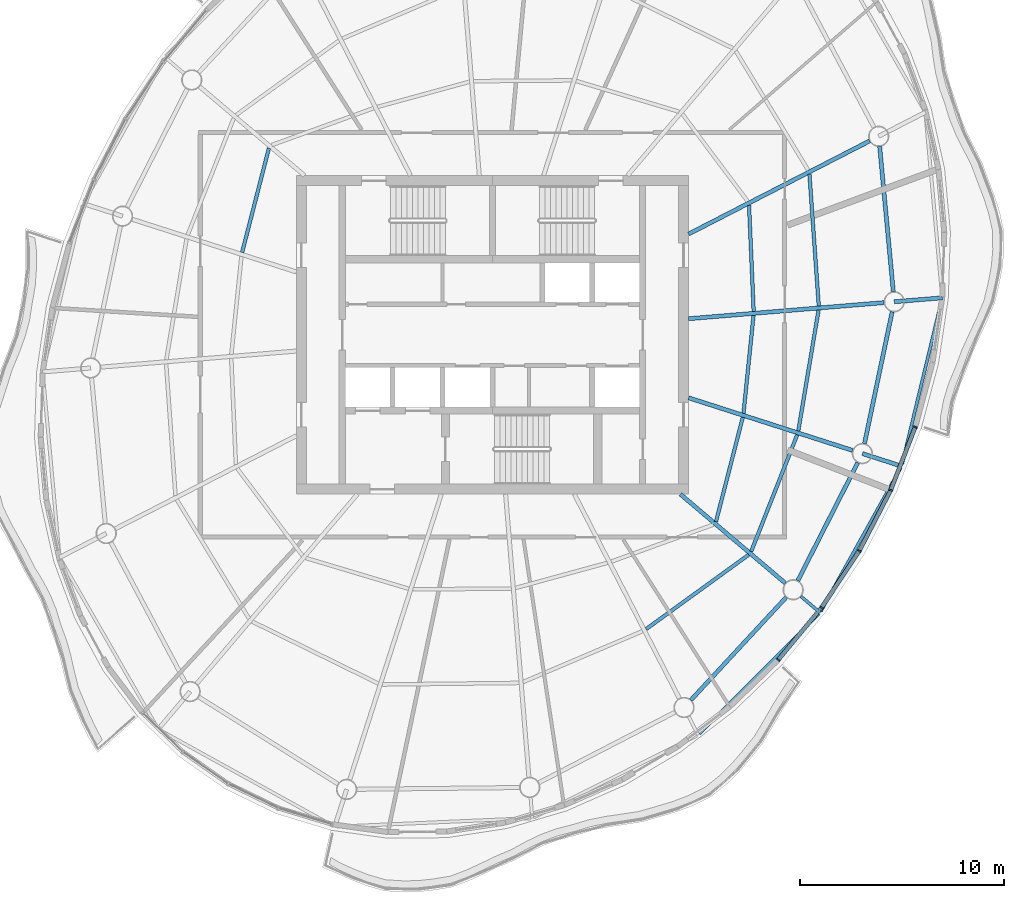
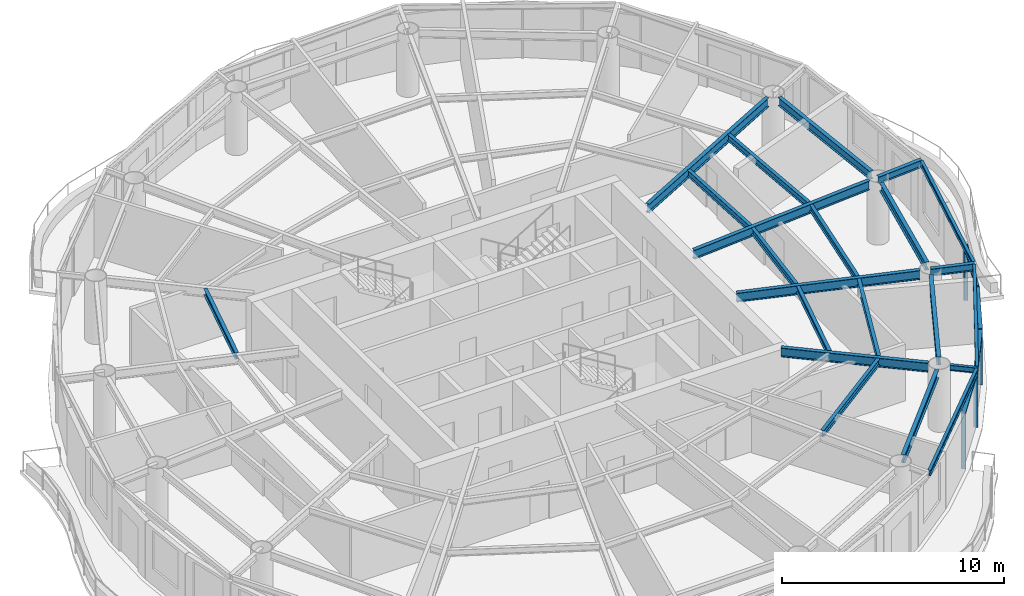
# One storey, part 3 of 13: 22 beams, 9 members, 4 elements without a shape of their own.
"""IFC4 building model written with IfcOpenShell, lengths in metres."""

from ifc_helpers import new_model, si_unit, direction, frame, origin, origin_2d, place, context, subcontext, project, spatial, rectangle, i_section, extrude, material, material_profile, profile_set, type_object, element, aggregate, save


model = new_model("IFC4")

# Units and contexts
model_context = context("Model", 3, precision=1e-05, world=origin(), true_north=direction((0.0, 1.0)))
body_context = subcontext(model_context, "Body", "Model", "MODEL_VIEW")
ifc_project = project(units=[si_unit("LENGTHUNIT", "METRE"), si_unit("AREAUNIT", "SQUARE_METRE"), si_unit("VOLUMEUNIT", "CUBIC_METRE"), si_unit("PLANEANGLEUNIT", "RADIAN"), si_unit("MASSUNIT", "GRAM", prefix="KILO")], contexts=[model_context])

# Site, building, storey
site_placement = place(None, origin())
site = spatial("IfcSite", under=ifc_project, at=site_placement, CompositionType="ELEMENT")
building_placement = place(site_placement, origin())
building = spatial("IfcBuilding", under=site, at=building_placement, Name="Vermilion Reach Broadcast Tower", CompositionType="ELEMENT")
storey_placement = place(building_placement, frame((0.0, 0.0, 272.10009765625)))
storey = spatial("IfcBuildingStorey", under=building, at=storey_placement, Name="L67", CompositionType="ELEMENT", Elevation=272.10009765625)

# Beams
ifc_material_1 = material(Name="Steel S355J2", Category="steel")
ifc_material_profile_1 = material_profile(ifc_material_1, i_section(OverallWidth=0.14990234375, OverallDepth=0.300048828125, WebThickness=0.006591796875, FlangeThickness=0.009033203125, at=origin_2d()), Name="S355J2 HN 300x150x6.5x9")
ifc_profile_set_1 = profile_set([ifc_material_profile_1], Name="Steel S355J2")
beam_type_1 = type_object("IfcBeamType", Name="EB5 HN 300x150x6.5x9", PredefinedType="BEAM", material=ifc_profile_set_1)
beam_1_placement = place(storey_placement, frame((4.121826171875, -19.522216796875, 3.2998046875), z_axis=(0.706149929804, 0.708062339514, 0.0), x_axis=(-0.708062339514, 0.706149929804, 0.0)))
element("IfcBeam", 1, at=beam_1_placement, inside=storey, type_object=beam_type_1, Name="Edge beam EB5-11", PredefinedType="BEAM", context=body_context, shape_type="SweptSolid", body=[
    extrude(i_section(OverallWidth=0.14990234375, OverallDepth=0.300048828125, WebThickness=0.006591796875, FlangeThickness=0.009033203125, at=origin_2d()), origin(), (0.0, 0.0, 1.0), 8.298095703125),
])
beam_2_placement = place(storey_placement, frame((10.07177734375, -13.52685546875, 3.2998046875), z_axis=(0.48668856218, 0.873575551079, 0.0), x_axis=(-0.873575551079, 0.48668856218, 0.0)))
element("IfcBeam", 2, at=beam_2_placement, inside=storey, type_object=beam_type_1, Name="Edge beam EB5-12", PredefinedType="BEAM", context=body_context, shape_type="SweptSolid", body=[
    extrude(i_section(OverallWidth=0.14990234375, OverallDepth=0.300048828125, WebThickness=0.006591796875, FlangeThickness=0.009033203125, at=origin_2d()), origin(), (0.0, 0.0, 1.0), 8.026123046875),
])
beam_3_placement = place(storey_placement, frame((14.05126953125, -6.328857421875, 3.2998046875), z_axis=(0.234596291436, 0.972092886531, 0.0), x_axis=(-0.972092886531, 0.234596291436, 0.0)))
element("IfcBeam", 3, at=beam_3_placement, inside=storey, type_object=beam_type_1, Name="Edge beam EB5-13", PredefinedType="BEAM", context=body_context, shape_type="SweptSolid", body=[
    extrude(i_section(OverallWidth=0.14990234375, OverallDepth=0.300048828125, WebThickness=0.006591796875, FlangeThickness=0.009033203125, at=origin_2d()), origin(), (0.0, 0.0, 1.0), 8.271240234375),
])
ifc_material_2 = material(Name="Steel S355J2", Category="steel")
ifc_material_profile_2 = material_profile(ifc_material_2, i_section(OverallWidth=0.199951171875, OverallDepth=0.5, WebThickness=0.010009765625, FlangeThickness=0.01611328125, at=origin_2d()), Name="S355J2 HN 500x200x10x16")
ifc_profile_set_2 = profile_set([ifc_material_profile_2], Name="Steel S355J2")
beam_type_2 = type_object("IfcBeamType", Name="G5 HN 500x200x10x16", PredefinedType="BEAM", material=ifc_profile_set_2)
beam_4_placement = place(storey_placement, frame((3.20068359375, -7.800048828125, 3.199951171875), z_axis=(0.762793125612, -0.646642596431, 0.0), x_axis=(0.646642596431, 0.762793125612, 0.0)))
element("IfcBeam", 4, at=beam_4_placement, inside=storey, type_object=beam_type_2, Name="Girder G5-12", PredefinedType="BEAM", context=body_context, shape_type="SweptSolid", body=[
    extrude(i_section(OverallWidth=0.199951171875, OverallDepth=0.5, WebThickness=0.010009765625, FlangeThickness=0.01611328125, at=origin_2d()), origin(), (0.0, 0.0, 1.0), 6.732421875),
])
beam_5_placement = place(storey_placement, frame((3.60009765625, -3.080322265625, 3.199951171875), z_axis=(0.952178453449, -0.305542456604, 0.0), x_axis=(0.305542456604, 0.952178453449, 0.0)))
element("IfcBeam", 5, at=beam_5_placement, inside=storey, type_object=beam_type_2, Name="Girder G5-13", PredefinedType="BEAM", context=body_context, shape_type="SweptSolid", body=[
    extrude(i_section(OverallWidth=0.199951171875, OverallDepth=0.5, WebThickness=0.010009765625, FlangeThickness=0.01611328125, at=origin_2d()), origin(), (0.0, 0.0, 1.0), 8.43310546875),
])
beam_6_placement = place(storey_placement, frame((3.60009765625, 0.791015625, 3.199951171875), z_axis=(0.996624410075, 0.082096195058, 0.0), x_axis=(-0.082096195058, 0.996624410075, 0.0)))
element("IfcBeam", 6, at=beam_6_placement, inside=storey, type_object=beam_type_2, Name="Girder G5-14", PredefinedType="BEAM", context=body_context, shape_type="SweptSolid", body=[
    extrude(i_section(OverallWidth=0.199951171875, OverallDepth=0.5, WebThickness=0.010009765625, FlangeThickness=0.01611328125, at=origin_2d()), origin(), (0.0, 0.0, 1.0), 9.599609375),
])
beam_7_placement = place(storey_placement, frame((3.60009765625, 4.935791015625, 3.199951171875), z_axis=(0.889332502449, 0.457261085254, 0.0), x_axis=(-0.457261085254, 0.889332502449, 0.0)))
element("IfcBeam", 7, at=beam_7_placement, inside=storey, type_object=beam_type_2, Name="Girder G5-15", PredefinedType="BEAM", context=body_context, shape_type="SweptSolid", body=[
    extrude(i_section(OverallWidth=0.199951171875, OverallDepth=0.5, WebThickness=0.010009765625, FlangeThickness=0.01611328125, at=origin_2d()), origin(), (0.0, 0.0, 1.0), 9.96337890625),
])
ifc_material_3 = material(Name="Steel S355J2", Category="steel")
ifc_material_profile_3 = material_profile(ifc_material_3, i_section(OverallWidth=0.199951171875, OverallDepth=0.39990234375, WebThickness=0.008056640625, FlangeThickness=0.012939453125, at=origin_2d()), Name="S355J2 HN 400x200x8x13")
ifc_profile_set_3 = profile_set([ifc_material_profile_3], Name="Steel S355J2")
beam_type_3 = type_object("IfcBeamType", Name="GC5 HN 400x200x8x13", PredefinedType="BEAM", material=ifc_profile_set_3)
beam_8_placement = place(storey_placement, frame((12.10595703125, -5.809814453125, 3.25), z_axis=(0.95221465276, -0.305429623758, 0.0), x_axis=(0.305429623758, 0.95221465276, 0.0)))
element("IfcBeam", 8, at=beam_8_placement, inside=storey, type_object=beam_type_3, Name="Cantilever girder GC5-13", PredefinedType="BEAM", context=body_context, shape_type="SweptSolid", body=[
    extrude(i_section(OverallWidth=0.199951171875, OverallDepth=0.39990234375, WebThickness=0.008056640625, FlangeThickness=0.012939453125, at=origin_2d()), origin(), (0.0, 0.0, 1.0), 2.018310546875),
])
beam_9_placement = place(storey_placement, frame((13.665771484375, 1.620361328125, 3.25), z_axis=(0.996625948779, 0.082077513489, 0.0), x_axis=(-0.082077513489, 0.996625948779, 0.0)))
element("IfcBeam", 9, at=beam_9_placement, inside=storey, type_object=beam_type_3, Name="Cantilever girder GC5-14", PredefinedType="BEAM", context=body_context, shape_type="SweptSolid", body=[
    extrude(i_section(OverallWidth=0.199951171875, OverallDepth=0.39990234375, WebThickness=0.008056640625, FlangeThickness=0.012939453125, at=origin_2d()), origin(), (0.0, 0.0, 1.0), 2.35888671875),
])
ifc_material_4 = material(Name="Steel S355J2", Category="steel")
ifc_material_profile_4 = material_profile(ifc_material_4, i_section(OverallWidth=0.14990234375, OverallDepth=0.300048828125, WebThickness=0.006591796875, FlangeThickness=0.009033203125, at=origin_2d()), Name="S355J2 HN 300x150x6.5x9")
ifc_profile_set_4 = profile_set([ifc_material_profile_4], Name="Steel S355J2")
beam_type_4 = type_object("IfcBeamType", Name="GS5 HN 300x150x6.5x9", PredefinedType="BEAM", material=ifc_profile_set_4)
beam_10_placement = place(storey_placement, frame((9.098876953125, -12.80029296875, 3.2998046875), z_axis=(0.762827383271, -0.646602183211, 0.0), x_axis=(0.646602183211, 0.762827383271, 0.0)))
element("IfcBeam", 10, at=beam_10_placement, inside=storey, type_object=beam_type_4, Name="Cantilever stub GS5-12", PredefinedType="BEAM", context=body_context, shape_type="SweptSolid", body=[
    extrude(i_section(OverallWidth=0.14990234375, OverallDepth=0.300048828125, WebThickness=0.006591796875, FlangeThickness=0.009033203125, at=origin_2d()), origin(), (0.0, 0.0, 1.0), 1.226806640625),
])
ifc_material_5 = material(Name="Steel S355J2", Category="steel")
ifc_material_profile_5 = material_profile(ifc_material_5, i_section(OverallWidth=0.199951171875, OverallDepth=0.449951171875, WebThickness=0.009033203125, FlangeThickness=0.013916015625, at=origin_2d()), Name="S355J2 HN 450x200x9x14")
ifc_profile_set_5 = profile_set([ifc_material_profile_5], Name="Steel S355J2")
beam_type_5 = type_object("IfcBeamType", Name="RB5 HN 450x200x9x14", PredefinedType="BEAM", material=ifc_profile_set_5)
beam_11_placement = place(storey_placement, frame((3.716796875, -17.87109375, 3.224853515625), z_axis=(0.679837550075, 0.733362738014, 0.0), x_axis=(-0.733362738014, 0.679837550075, 0.0)))
element("IfcBeam", 11, at=beam_11_placement, inside=storey, type_object=beam_type_5, Name="Ring beam RB5-11", PredefinedType="BEAM", context=body_context, shape_type="SweptSolid", body=[
    extrude(i_section(OverallWidth=0.199951171875, OverallDepth=0.449951171875, WebThickness=0.009033203125, FlangeThickness=0.013916015625, at=origin_2d()), origin(), (0.0, 0.0, 1.0), 6.85546875),
])
beam_12_placement = place(storey_placement, frame((8.944091796875, -12.03125, 3.224853515625), z_axis=(0.453052302855, 0.891483937532, 0.0), x_axis=(-0.891483937532, 0.453052302855, 0.0)))
element("IfcBeam", 12, at=beam_12_placement, inside=storey, type_object=beam_type_5, Name="Ring beam RB5-12", PredefinedType="BEAM", context=body_context, shape_type="SweptSolid", body=[
    extrude(i_section(OverallWidth=0.199951171875, OverallDepth=0.449951171875, WebThickness=0.009033203125, FlangeThickness=0.013916015625, at=origin_2d()), origin(), (0.0, 0.0, 1.0), 6.47900390625),
])
beam_13_placement = place(storey_placement, frame((12.208740234375, -5.3203125, 3.224853515625), z_axis=(0.205444869285, 0.978668690459, 0.0), x_axis=(-0.978668690459, 0.205444869285, 0.0)))
element("IfcBeam", 13, at=beam_13_placement, inside=storey, type_object=beam_type_5, Name="Ring beam RB5-13", PredefinedType="BEAM", context=body_context, shape_type="SweptSolid", body=[
    extrude(i_section(OverallWidth=0.199951171875, OverallDepth=0.449951171875, WebThickness=0.009033203125, FlangeThickness=0.013916015625, at=origin_2d()), origin(), (0.0, 0.0, 1.0), 6.591796875),
])
beam_14_placement = place(storey_placement, frame((13.618896484375, 2.1181640625, 3.224853515625), z_axis=(-0.093441399272, 0.995624781181, 0.0), x_axis=(-0.995624781181, -0.093441399272, 0.0)))
element("IfcBeam", 14, at=beam_14_placement, inside=storey, type_object=beam_type_5, Name="Ring beam RB5-14", PredefinedType="BEAM", context=body_context, shape_type="SweptSolid", body=[
    extrude(i_section(OverallWidth=0.199951171875, OverallDepth=0.449951171875, WebThickness=0.009033203125, FlangeThickness=0.013916015625, at=origin_2d()), origin(), (0.0, 0.0, 1.0), 7.135498046875),
])
ifc_material_6 = material(Name="Steel S355J2", Category="steel")
ifc_material_profile_6 = material_profile(ifc_material_6, i_section(OverallWidth=0.175048828125, OverallDepth=0.35009765625, WebThickness=0.007080078125, FlangeThickness=0.010986328125, at=origin_2d()), Name="S355J2 HN 350x175x7x11")
ifc_profile_set_6 = profile_set([ifc_material_profile_6], Name="Steel S355J2")
beam_type_6 = type_object("IfcBeamType", Name="SB5 HN 350x175x7x11", PredefinedType="BEAM", material=ifc_profile_set_6)
beam_15_placement = place(storey_placement, frame((-16.940185546875, 9.1435546875, 3.27490234375), z_axis=(-0.248729575729, -0.968572969971, 0.0), x_axis=(0.968572969971, -0.248729575729, 0.0)))
element("IfcBeam", 15, at=beam_15_placement, inside=storey, type_object=beam_type_6, Name="Secondary beam SB5-04-1", PredefinedType="BEAM", context=body_context, shape_type="SweptSolid", body=[
    extrude(i_section(OverallWidth=0.175048828125, OverallDepth=0.35009765625, WebThickness=0.007080078125, FlangeThickness=0.010986328125, at=origin_2d()), origin(), (0.0, 0.0, 1.0), 5.27294921875),
])
beam_16_placement = place(storey_placement, frame((1.517578125, -14.402587890625, 3.27490234375), z_axis=(0.809771251518, 0.586745703192, 0.0), x_axis=(-0.586745703192, 0.809771251518, 0.0)))
element("IfcBeam", 16, at=beam_16_placement, inside=storey, type_object=beam_type_6, Name="Secondary beam SB5-11-2", PredefinedType="BEAM", context=body_context, shape_type="SweptSolid", body=[
    extrude(i_section(OverallWidth=0.175048828125, OverallDepth=0.35009765625, WebThickness=0.007080078125, FlangeThickness=0.010986328125, at=origin_2d()), origin(), (0.0, 0.0, 1.0), 6.20361328125),
])
beam_17_placement = place(storey_placement, frame((4.940185546875, -9.1435546875, 3.27490234375), z_axis=(0.248729575729, 0.968572969971, 0.0), x_axis=(-0.968572969971, 0.248729575729, 0.0)))
element("IfcBeam", 17, at=beam_17_placement, inside=storey, type_object=beam_type_6, Name="Secondary beam SB5-12-1", PredefinedType="BEAM", context=body_context, shape_type="SweptSolid", body=[
    extrude(i_section(OverallWidth=0.175048828125, OverallDepth=0.35009765625, WebThickness=0.007080078125, FlangeThickness=0.010986328125, at=origin_2d()), origin(), (0.0, 0.0, 1.0), 5.27294921875),
])
beam_18_placement = place(storey_placement, frame((6.6630859375, -10.604248046875, 3.27490234375), z_axis=(0.366931189603, 0.930248086317, 0.0), x_axis=(-0.930248086317, 0.366931189603, 0.0)))
element("IfcBeam", 18, at=beam_18_placement, inside=storey, type_object=beam_type_6, Name="Secondary beam SB5-12-2", PredefinedType="BEAM", context=body_context, shape_type="SweptSolid", body=[
    extrude(i_section(OverallWidth=0.175048828125, OverallDepth=0.35009765625, WebThickness=0.007080078125, FlangeThickness=0.010986328125, at=origin_2d()), origin(), (0.0, 0.0, 1.0), 6.141357421875),
])
beam_19_placement = place(storey_placement, frame((6.287109375, -3.837646484375, 3.27490234375), z_axis=(0.102113775264, 0.994772726255, 0.0), x_axis=(-0.994772726255, 0.102113775264, 0.0)))
element("IfcBeam", 19, at=beam_19_placement, inside=storey, type_object=beam_type_6, Name="Secondary beam SB5-13-1", PredefinedType="BEAM", context=body_context, shape_type="SweptSolid", body=[
    extrude(i_section(OverallWidth=0.175048828125, OverallDepth=0.35009765625, WebThickness=0.007080078125, FlangeThickness=0.010986328125, at=origin_2d()), origin(), (0.0, 0.0, 1.0), 4.815185546875),
])
beam_20_placement = place(storey_placement, frame((8.969970703125, -4.698486328125, 3.27490234375), z_axis=(0.16532337011, 0.986239414795, 0.0), x_axis=(-0.986239414795, 0.16532337011, 0.0)))
element("IfcBeam", 20, at=beam_20_placement, inside=storey, type_object=beam_type_6, Name="Secondary beam SB5-13-2", PredefinedType="BEAM", context=body_context, shape_type="SweptSolid", body=[
    extrude(i_section(OverallWidth=0.175048828125, OverallDepth=0.35009765625, WebThickness=0.007080078125, FlangeThickness=0.010986328125, at=origin_2d()), origin(), (0.0, 0.0, 1.0), 5.99560546875),
])
beam_21_placement = place(storey_placement, frame((6.78466796875, 1.153564453125, 3.27490234375), z_axis=(-0.043557530017, 0.999050920413, 0.0), x_axis=(-0.999050920413, -0.043557530017, 0.0)))
element("IfcBeam", 21, at=beam_21_placement, inside=storey, type_object=beam_type_6, Name="Secondary beam SB5-14-1", PredefinedType="BEAM", context=body_context, shape_type="SweptSolid", body=[
    extrude(i_section(OverallWidth=0.175048828125, OverallDepth=0.35009765625, WebThickness=0.007080078125, FlangeThickness=0.010986328125, at=origin_2d()), origin(), (0.0, 0.0, 1.0), 5.19580078125),
])
beam_22_placement = place(storey_placement, frame((9.97119140625, 1.416259765625, 3.27490234375), z_axis=(-0.070586780458, 0.997505642302, 0.0), x_axis=(-0.997505642302, -0.070586780458, 0.0)))
element("IfcBeam", 22, at=beam_22_placement, inside=storey, type_object=beam_type_6, Name="Secondary beam SB5-14-2", PredefinedType="BEAM", context=body_context, shape_type="SweptSolid", body=[
    extrude(i_section(OverallWidth=0.175048828125, OverallDepth=0.35009765625, WebThickness=0.007080078125, FlangeThickness=0.010986328125, at=origin_2d()), origin(), (0.0, 0.0, 1.0), 6.46435546875),
])

# Curtain wall, member
ifc_material_7 = material(Name="Low-e laminated clear glass in aluminium frame", Category="aluminium")
curtain_wall_type = type_object("IfcCurtainWallType", Name="Slot curtain wall", PredefinedType="NOTDEFINED", material=ifc_material_7)
placement = place(storey_placement, origin())
curtain_wall_1 = element("IfcCurtainWall", 23, at=placement, inside=storey, type_object=curtain_wall_type, Name="Slot curtain wall L67 34", PredefinedType="NOTDEFINED")
ifc_material_8 = material(Name="Anodised aluminium", Category="aluminium")
ifc_material_profile_7 = material_profile(ifc_material_8, rectangle(XDim=0.199951171875, YDim=0.080078125, at=origin_2d()), Name="Slot mullion 80 x 200")
ifc_profile_set_7 = profile_set([ifc_material_profile_7], Name="Anodised aluminium")
member_type_1 = type_object("IfcMemberType", Name="Slot mullion 80 x 200", PredefinedType="MULLION", material=ifc_profile_set_7)
member_1_placement = place(storey_placement, frame((7.987060546875, -15.903076171875, 0.0), z_axis=(0.0, 0.0, 1.0), x_axis=(-0.732768763205, 0.680477729005, 0.0)))
member_1 = element("IfcMember", 24, at=member_1_placement, type_object=member_type_1, Name="Slot mullion L67 34", PredefinedType="MULLION", context=body_context, shape_type="SweptSolid", body=[
    extrude(rectangle(XDim=0.199951171875, YDim=0.080078125, at=origin_2d()), origin(), (0.0, 0.0, 1.0), 3.0498046875),
])

curtain_wall_2 = element("IfcCurtainWall", 25, at=placement, inside=storey, type_object=curtain_wall_type, Name="Slot curtain wall L67 35", PredefinedType="NOTDEFINED")
member_2_placement = place(storey_placement, frame((10.109130859375, -13.350341796875, 0.0), z_axis=(0.0, 0.0, 1.0), x_axis=(-0.802339274357, 0.596868234056, 0.0)))
member_2 = element("IfcMember", 26, at=member_2_placement, type_object=member_type_1, Name="Slot mullion L67 35", PredefinedType="MULLION", context=body_context, shape_type="SweptSolid", body=[
    extrude(rectangle(XDim=0.199951171875, YDim=0.080078125, at=origin_2d()), origin(), (0.0, 0.0, 1.0), 3.0498046875),
])

curtain_wall_3 = element("IfcCurtainWall", 27, at=placement, inside=storey, type_object=curtain_wall_type, Name="Slot curtain wall L67 36", PredefinedType="NOTDEFINED")
member_3_placement = place(storey_placement, frame((11.954833984375, -10.567626953125, 0.0), z_axis=(0.0, 0.0, 1.0), x_axis=(-0.861806255655, 0.507237594933, 0.0)))
member_3 = element("IfcMember", 28, at=member_3_placement, type_object=member_type_1, Name="Slot mullion L67 36", PredefinedType="MULLION", context=body_context, shape_type="SweptSolid", body=[
    extrude(rectangle(XDim=0.199951171875, YDim=0.080078125, at=origin_2d()), origin(), (0.0, 0.0, 1.0), 3.0498046875),
])

# Curtain wall, members
curtain_wall_4 = element("IfcCurtainWall", 29, at=placement, inside=storey, type_object=curtain_wall_type, Name="Slot curtain wall L67 37", PredefinedType="NOTDEFINED")
member_4_placement = place(storey_placement, frame((13.49169921875, -7.603515625, 0.0), z_axis=(0.0, 0.0, 1.0), x_axis=(-0.911302212521, 0.411738117562, 0.0)))
member_4 = element("IfcMember", 30, at=member_4_placement, type_object=member_type_1, Name="Slot mullion L67 37", PredefinedType="MULLION", context=body_context, shape_type="SweptSolid", body=[
    extrude(rectangle(XDim=0.199951171875, YDim=0.080078125, at=origin_2d()), origin(), (0.0, 0.0, 1.0), 3.0498046875),
])
member_5_placement = place(storey_placement, frame((14.693359375, -4.5087890625, 0.0), z_axis=(0.0, 0.0, 1.0), x_axis=(-0.950629449844, 0.31032829244, 0.0)))
member_5 = element("IfcMember", 31, at=member_5_placement, type_object=member_type_1, Name="Slot mullion L67 38", PredefinedType="MULLION", context=body_context, shape_type="SweptSolid", body=[
    extrude(rectangle(XDim=0.199951171875, YDim=0.080078125, at=origin_2d()), origin(), (0.0, 0.0, 1.0), 3.0498046875),
])

# Member
ifc_material_9 = material(Name="Anodised aluminium", Category="aluminium")
ifc_material_profile_8 = material_profile(ifc_material_9, rectangle(XDim=0.199951171875, YDim=0.10009765625, at=origin_2d()), Name="Slot transom 200 x 100")
ifc_profile_set_8 = profile_set([ifc_material_profile_8], Name="Anodised aluminium")
member_type_2 = type_object("IfcMemberType", Name="Slot transom 200 x 100", PredefinedType="USERDEFINED", material=ifc_profile_set_8)
member_6_placement = place(storey_placement, frame((8.012451171875, -15.872314453125, 3.0), z_axis=(0.639324193865, 0.768937302476, 0.0), x_axis=(-0.768937302476, 0.639324193865, 0.0)))
member_6 = element("IfcMember", 32, at=member_6_placement, type_object=member_type_2, Name="Slot transom L67 34.1", ObjectType="TRANSOM", PredefinedType="USERDEFINED", context=body_context, shape_type="SweptSolid", body=[
    extrude(rectangle(XDim=0.199951171875, YDim=0.10009765625, at=origin_2d()), origin(), (0.0, 0.0, 1.0), 3.23974609375),
])

aggregate(curtain_wall_1, [member_1, member_6])

member_7_placement = place(storey_placement, frame((10.13134765625, -13.31689453125, 3.0), z_axis=(0.552727781831, 0.833361865694, 0.0), x_axis=(-0.833361865694, 0.552727781831, 0.0)))
member_7 = element("IfcMember", 33, at=member_7_placement, type_object=member_type_2, Name="Slot transom L67 35.1", ObjectType="TRANSOM", PredefinedType="USERDEFINED", context=body_context, shape_type="SweptSolid", body=[
    extrude(rectangle(XDim=0.199951171875, YDim=0.10009765625, at=origin_2d()), origin(), (0.0, 0.0, 1.0), 3.2587890625),
])

aggregate(curtain_wall_2, [member_2, member_7])

member_8_placement = place(storey_placement, frame((11.97314453125, -10.5322265625, 3.0), z_axis=(0.460260311256, 0.887784008576, 0.0), x_axis=(-0.887784008576, 0.460260311256, 0.0)))
member_8 = element("IfcMember", 34, at=member_8_placement, type_object=member_type_2, Name="Slot transom L67 36.1", ObjectType="TRANSOM", PredefinedType="USERDEFINED", context=body_context, shape_type="SweptSolid", body=[
    extrude(rectangle(XDim=0.199951171875, YDim=0.10009765625, at=origin_2d()), origin(), (0.0, 0.0, 1.0), 3.259033203125),
])

aggregate(curtain_wall_3, [member_3, member_8])

member_9_placement = place(storey_placement, frame((13.506103515625, -7.566162109375, 3.0), z_axis=(0.362017109633, 0.932171450074, 0.0), x_axis=(-0.932171450074, 0.362017109633, 0.0)))
member_9 = element("IfcMember", 35, at=member_9_placement, type_object=member_type_2, Name="Slot transom L67 37.1", ObjectType="TRANSOM", PredefinedType="USERDEFINED", context=body_context, shape_type="SweptSolid", body=[
    extrude(rectangle(XDim=0.199951171875, YDim=0.10009765625, at=origin_2d()), origin(), (0.0, 0.0, 1.0), 3.23974609375),
])

aggregate(curtain_wall_4, [member_4, member_5, member_9])

save(model, "model.ifc")
